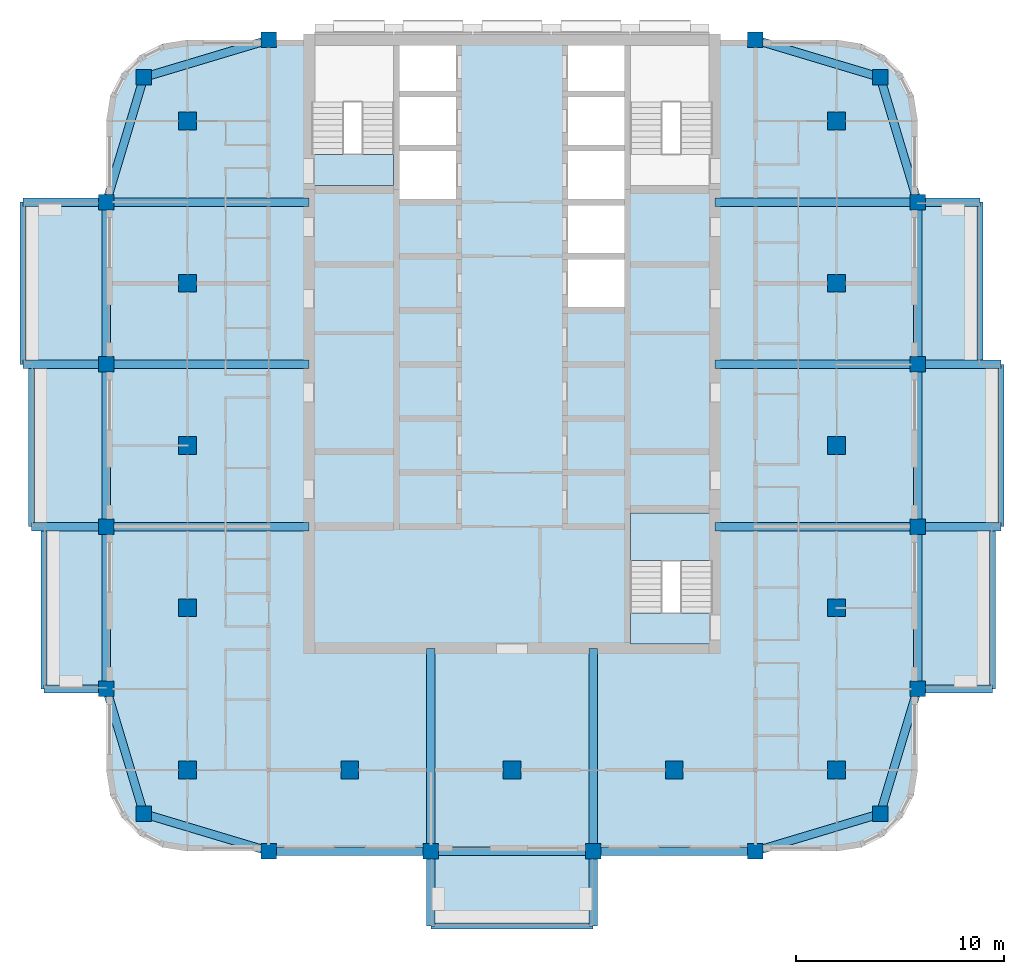
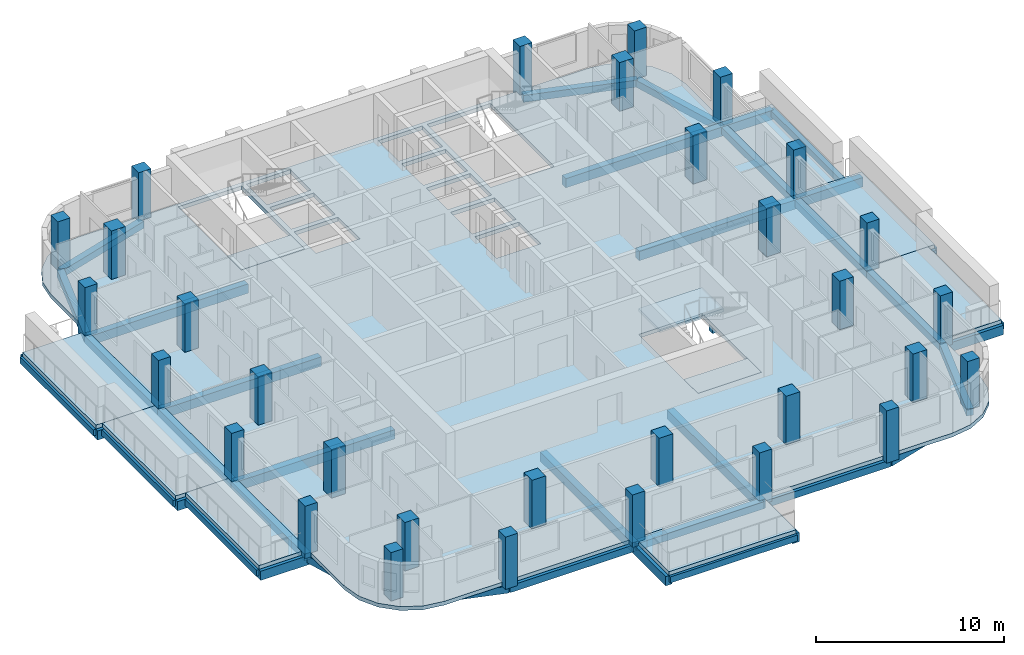
# One storey, part 1 of 13: 42 beams, 31 columns, 11 slabs, 2 elements without a shape of their own.
"""IFC4 building model written with IfcOpenShell, lengths in metres."""

import ifcopenshell
import ifcopenshell.guid

model = None  # the IFC model being written
_history = None  # IfcOwnerHistory: only IFC2X3 demands one
_inside = {}  # id of a spatial element -> (the spatial element, [elements in it])
_under = {}  # id of a project, library or spatial element -> (it, [spatial elements below it])
_declared = {}  # id of a project -> (the project, [libraries it declares])
_typed = {}  # id of a type object -> (the type object, [elements of that type])
_made_of = {}  # id of a material, layer set ... -> (it, [elements and type objects made of it])


def new_model(schema):
    """Start an empty IFC model of exactly this schema.

    Asked for "IFC4X3", IfcOpenShell would pick the latest addendum, in which some entities
    have other attributes; the version numbers below select the first issue.
    IFC2X3 requires an IfcOwnerHistory on every rooted entity: one is made here for all.
    """
    global model, _history
    if schema == "IFC4X3":
        model = ifcopenshell.file(schema_version=(4, 3, 0, 0))
    else:
        model = ifcopenshell.file(schema=schema)
    _inside.clear()
    _under.clear()
    _declared.clear()
    _typed.clear()
    _made_of.clear()
    _history = None
    if model.schema == "IFC2X3":
        org = make("IfcOrganization", Name="unknown")
        user = make(
            "IfcPersonAndOrganization",
            ThePerson=make("IfcPerson", FamilyName="unknown"),
            TheOrganization=org,
        )
        app = make(
            "IfcApplication",
            ApplicationDeveloper=org,
            Version="unknown",
            ApplicationFullName="unknown",
            ApplicationIdentifier="unknown",
        )
        _history = make(
            "IfcOwnerHistory",
            OwningUser=user,
            OwningApplication=app,
            ChangeAction="ADDED",
            CreationDate=0,
        )
    return model


def make(cls, **values):
    """One entity of the class cls with the attributes given. An attribute that is None is left unset."""
    return model.create_entity(
        cls, **{name: value for name, value in values.items() if value is not None}
    )


def rooted(cls, **values):
    """An entity with a GlobalId (a new one), such as an element, a storey or a relation."""
    return make(cls, GlobalId=ifcopenshell.guid.new(), OwnerHistory=_history, **values)


def si_unit(unit_type, name, prefix=None):
    """IfcSIUnit, for example si_unit("LENGTHUNIT", "METRE", prefix="MILLI")."""
    return make("IfcSIUnit", UnitType=unit_type, Prefix=prefix, Name=name)


def assignment(units):
    """IfcUnitAssignment: the units of a project."""
    return None if units is None else make("IfcUnitAssignment", Units=units)


def point(xyz):
    """IfcCartesianPoint."""
    return None if xyz is None else make("IfcCartesianPoint", Coordinates=xyz)


def direction(xyz):
    """IfcDirection."""
    return None if xyz is None else make("IfcDirection", DirectionRatios=xyz)


def frame(location, z_axis=None, x_axis=None):
    """IfcAxis2Placement3D, a coordinate frame: its origin and axes. An axis left out is left unset."""
    return make(
        "IfcAxis2Placement3D",
        Location=point(location),
        Axis=direction(z_axis),
        RefDirection=direction(x_axis),
    )


def frame_2d(location, x_axis=None):
    """IfcAxis2Placement2D, a coordinate frame in the plane: its origin and x axis."""
    return make(
        "IfcAxis2Placement2D", Location=point(location), RefDirection=direction(x_axis)
    )


def origin():
    """The frame at (0, 0, 0) with its axes left unset."""
    return frame((0.0, 0.0, 0.0))


def origin_2d():
    """The frame at (0, 0) in the plane with its x axis left unset."""
    return frame_2d((0.0, 0.0))


def place(relative_to, where):
    """IfcLocalPlacement: puts the frame where relative to a parent placement (None: the world)."""
    return make(
        "IfcLocalPlacement", PlacementRelTo=relative_to, RelativePlacement=where
    )


def context(
    kind, dimensions, precision=None, world=None, true_north=None, identifier=None
):
    """IfcGeometricRepresentationContext, for example the 3D "Model" context."""
    return make(
        "IfcGeometricRepresentationContext",
        ContextIdentifier=identifier,
        ContextType=kind,
        CoordinateSpaceDimension=dimensions,
        Precision=precision,
        WorldCoordinateSystem=world,
        TrueNorth=true_north,
    )


def subcontext(parent, identifier, kind, view, scale=None):
    """IfcGeometricRepresentationSubContext, for example "Body" below "Model"."""
    return make(
        "IfcGeometricRepresentationSubContext",
        ContextIdentifier=identifier,
        ContextType=kind,
        ParentContext=parent,
        TargetScale=scale,
        TargetView=view,
    )


def project(units=None, contexts=None):
    """IfcProject with its units and contexts."""
    return rooted(
        "IfcProject",
        Name="project",
        RepresentationContexts=contexts,
        UnitsInContext=assignment(units),
    )


def spatial(cls, under=None, at=None, **own):
    """A site, building, storey or space (cls), placed at a placement, below another one or the project."""
    s = rooted(cls, ObjectPlacement=at, **own)
    if under is not None:
        _under.setdefault(under.id(), (under, []))[1].append(s)
    return s


def polyline(points):
    """IfcPolyline through the points."""
    return make("IfcPolyline", Points=[point(p) for p in points])


def profile(cls, at=None, kind="AREA", **sizes):
    """A parametric profile (cls). Its sizes go by their IFC names, for example OverallWidth=200.0."""
    return make(cls, ProfileType=kind, Position=at, **sizes)


def rectangle(**sizes):
    """IfcRectangleProfileDef."""
    return profile("IfcRectangleProfileDef", **sizes)


def outline(outer, holes=None, kind="AREA"):
    """IfcArbitraryClosedProfileDef: a profile drawn as a closed curve; with holes, ...WithVoids."""
    if holes is None:
        return make("IfcArbitraryClosedProfileDef", ProfileType=kind, OuterCurve=outer)
    return make(
        "IfcArbitraryProfileDefWithVoids",
        ProfileType=kind,
        OuterCurve=outer,
        InnerCurves=holes,
    )


def extrude(swept, where, along, depth):
    """IfcExtrudedAreaSolid: the profile swept, set in the frame where, extruded along a direction by depth."""
    return make(
        "IfcExtrudedAreaSolid",
        SweptArea=swept,
        Position=where,
        ExtrudedDirection=direction(along),
        Depth=depth,
    )


def shape(context_of_items, identifier, shape_type, items):
    """IfcShapeRepresentation: the items that make up one representation, for example the "Body"."""
    return make(
        "IfcShapeRepresentation",
        ContextOfItems=context_of_items,
        RepresentationIdentifier=identifier,
        RepresentationType=shape_type,
        Items=items,
    )


def material(Name=None, Category=None):
    """IfcMaterial."""
    return make("IfcMaterial", Name=Name, Category=Category)


def layer(
    of_material, thickness, ventilated=None, Name=None, Category=None, Priority=None
):
    """IfcMaterialLayer: one layer of a wall or slab, of a material (None: an air gap)."""
    return make(
        "IfcMaterialLayer",
        Material=of_material,
        LayerThickness=thickness,
        IsVentilated=ventilated,
        Name=Name,
        Category=Category,
        Priority=Priority,
    )


def layer_set(layers, Name=None):
    """IfcMaterialLayerSet."""
    return make("IfcMaterialLayerSet", MaterialLayers=layers, LayerSetName=Name)


def material_profile(
    of_material, cross_section, Name=None, Category=None, Priority=None
):
    """IfcMaterialProfile: a cross section and its material."""
    return make(
        "IfcMaterialProfile",
        Name=Name,
        Material=of_material,
        Profile=cross_section,
        Priority=Priority,
        Category=Category,
    )


def profile_set(profiles, Name=None, composite=None):
    """IfcMaterialProfileSet."""
    return make(
        "IfcMaterialProfileSet",
        Name=Name,
        MaterialProfiles=profiles,
        CompositeProfile=composite,
    )


def made_of(thing, what):
    """Note that an element or type object is made of a material, layer set ...; save() writes the relation."""
    if what is not None:
        _made_of.setdefault(what.id(), (what, []))[1].append(thing)
    return thing


def type_object(cls, material=None, **own):
    """A type object (cls), such as IfcWallType, which elements share."""
    return made_of(rooted(cls, **own), material)


def element(
    cls,
    number,
    at=None,
    inside=None,
    cuts=None,
    type_object=None,
    material=None,
    context=None,
    identifier="Body",
    shape_type=None,
    held_by="IfcProductDefinitionShape",
    body=None,
    shapes=None,
    **own,
):
    """One element of the class cls, such as IfcWall. Its Tag is "e" and its number.

    at: its placement. inside: the storey or other place that contains it. cuts: it is an
    opening in that element (IfcRelVoidsElement). A single representation is given by context,
    identifier, shape_type and body (its items); several are given by shapes. held_by: the class
    of the entity that holds the representations. save() writes the other relations.
    """
    e = rooted(cls, Tag="e%d" % number, ObjectPlacement=at, **own)
    if body is not None:
        shapes = [shape(context, identifier, shape_type, body)]
    if shapes is not None:
        e.Representation = make(held_by, Representations=shapes)
    if inside is not None:
        _inside.setdefault(inside.id(), (inside, []))[1].append(e)
    if cuts is not None:
        rooted(
            "IfcRelVoidsElement", RelatingBuildingElement=cuts, RelatedOpeningElement=e
        )
    if type_object is not None:
        _typed.setdefault(type_object.id(), (type_object, []))[1].append(e)
    return made_of(e, material)


def aggregate(whole, parts):
    """IfcRelAggregates: a whole, such as a stair, and the parts it consists of."""
    return rooted("IfcRelAggregates", RelatingObject=whole, RelatedObjects=parts)


def save(model, path):
    """Write the relations noted so far, then the file.

    IfcRelAggregates (storeys below a building ...), IfcRelContainedInSpatialStructure (elements
    in a storey), IfcRelDefinesByType, IfcRelAssociatesMaterial and IfcRelDeclares: one each for
    every whole, place, type object, material and project.
    """
    for whole, parts in _under.values():
        aggregate(whole, parts)
    for where, things in _inside.values():
        rooted(
            "IfcRelContainedInSpatialStructure",
            RelatedElements=things,
            RelatingStructure=where,
        )
    for kind, things in _typed.values():
        rooted("IfcRelDefinesByType", RelatedObjects=things, RelatingType=kind)
    for what, things in _made_of.values():
        rooted("IfcRelAssociatesMaterial", RelatedObjects=things, RelatingMaterial=what)
    for by, libraries in _declared.values():
        rooted("IfcRelDeclares", RelatingContext=by, RelatedDefinitions=libraries)
    model.write(path)


model = new_model("IFC4")

# Units and contexts
model_context = context("Model", 3, precision=1e-05, world=origin(), true_north=direction((0.0, 1.0)))
body_context = subcontext(model_context, "Body", "Model", "MODEL_VIEW")
ifc_project = project(units=[si_unit("LENGTHUNIT", "METRE"), si_unit("AREAUNIT", "SQUARE_METRE"), si_unit("VOLUMEUNIT", "CUBIC_METRE"), si_unit("PLANEANGLEUNIT", "RADIAN"), si_unit("MASSUNIT", "GRAM", prefix="KILO")], contexts=[model_context])

# Site, building, storey
site_placement = place(None, origin())
site = spatial("IfcSite", under=ifc_project, at=site_placement, CompositionType="ELEMENT")
building_placement = place(site_placement, origin())
building = spatial("IfcBuilding", under=site, at=building_placement, Name="Ludao Terraces", CompositionType="ELEMENT")
storey_placement = place(building_placement, frame((0.0, 0.0, 158.800048828125)))
storey = spatial("IfcBuildingStorey", under=building, at=storey_placement, Name="L43", CompositionType="ELEMENT", Elevation=158.800048828125)

# Columns
ifc_material_1 = material(Name="Concrete C45", Category="concrete")
ifc_material_profile_1 = material_profile(ifc_material_1, rectangle(XDim=0.75, YDim=0.75, at=origin_2d()), Name="750 X 750")
ifc_profile_set_1 = profile_set([ifc_material_profile_1], Name="Concrete C45")
column_type_1 = type_object("IfcColumnType", Name="RC column 750x750 C45", PredefinedType="COLUMN", material=ifc_profile_set_1)
for number, where, z_axis, x_axis, name in (
    (1, (67.300048828125, 47.300048828125, -0.25), (0.0, 0.0, 1.0), (1.0, 0.0, 0.0), "Column L43 C0057x0057"),
    (2, (102.699951171875, 47.300048828125, -0.25), (0.0, 0.0, 1.0), (1.0, 0.0, 0.0), "Column L43 C0411x0057"),
    (3, (67.300048828125, 82.699951171875, -0.25), (0.0, 0.0, 1.0), (1.0, 0.0, 0.0), "Column L43 C0057x0411"),
    (4, (102.699951171875, 82.699951171875, -0.25), (0.0, 0.0, 1.0), (1.0, 0.0, 0.0), "Column L43 C0411x0411"),
    (5, (65.5, 53.300048828125, -0.25), (0.0, 0.0, 1.0), (1.0, 0.0, 0.0), "Column L43 W0039x0117"),
    (6, (104.5, 53.300048828125, -0.25), (0.0, 0.0, 1.0), (1.0, 0.0, 0.0), "Column L43 W0429x0117"),
    (7, (73.300048828125, 45.5, -0.25), (0.0, 0.0, 1.0), (1.0, 0.0, 0.0), "Column L43 W0117x0039"),
    (8, (73.300048828125, 84.5, -0.25), (0.0, 0.0, 1.0), (1.0, 0.0, 0.0), "Column L43 W0117x0429"),
    (9, (65.5, 61.10009765625, -0.25), (0.0, 0.0, 1.0), (1.0, 0.0, 0.0), "Column L43 W0039x0195"),
    (10, (104.5, 61.10009765625, -0.25), (0.0, 0.0, 1.0), (1.0, 0.0, 0.0), "Column L43 W0429x0195"),
    (11, (81.10009765625, 45.5, -0.25), (0.0, 0.0, 1.0), (1.0, 0.0, 0.0), "Column L43 W0195x0039"),
    (12, (65.5, 68.89990234375, -0.25), (0.0, 0.0, 1.0), (1.0, 0.0, 0.0), "Column L43 W0039x0273"),
    (13, (104.5, 68.89990234375, -0.25), (0.0, 0.0, 1.0), (1.0, 0.0, 0.0), "Column L43 W0429x0273"),
    (14, (88.89990234375, 45.5, -0.25), (0.0, 0.0, 1.0), (1.0, 0.0, 0.0), "Column L43 W0273x0039"),
    (15, (65.5, 76.699951171875, -0.25), (0.0, 0.0, 1.0), (1.0, 0.0, 0.0), "Column L43 W0039x0351"),
    (16, (104.5, 76.699951171875, -0.25), (0.0, 0.0, 1.0), (1.0, 0.0, 0.0), "Column L43 W0429x0351"),
    (17, (96.699951171875, 45.5, -0.25), (0.0, 0.0, 1.0), (1.0, 0.0, 0.0), "Column L43 W0351x0039"),
    (18, (96.699951171875, 84.5, -0.25), (0.0, 0.0, 1.0), (1.0, 0.0, 0.0), "Column L43 W0351x0429"),
):
    element("IfcColumn", number, at=place(storey_placement, frame(where, z_axis=z_axis, x_axis=x_axis)), inside=storey, type_object=column_type_1, Name=name, PredefinedType="COLUMN", context=body_context, shape_type="SweptSolid", body=[
        extrude(rectangle(XDim=0.75, YDim=0.75, at=origin_2d()), origin(), (0.0, 0.0, 1.0), 3.39990234375),
    ])
ifc_material_profile_2 = material_profile(ifc_material_1, rectangle(XDim=0.85009765625, YDim=0.85009765625, at=origin_2d()), Name="850 X 850")
ifc_profile_set_2 = profile_set([ifc_material_profile_2], Name="Concrete C45")
column_type_2 = type_object("IfcColumnType", Name="RC column 850x850 C45", PredefinedType="COLUMN", material=ifc_profile_set_2)
for number, where, z_axis, x_axis, name in (
    (19, (69.39990234375, 49.39990234375, -0.25), (0.0, 0.0, 1.0), (1.0, 0.0, 0.0), "Column L43 S0078x0078"),
    (20, (69.39990234375, 57.199951171875, -0.25), (0.0, 0.0, 1.0), (1.0, 0.0, 0.0), "Column L43 S0078x0156"),
    (21, (69.39990234375, 65.0, -0.25), (0.0, 0.0, 1.0), (1.0, 0.0, 0.0), "Column L43 S0078x0234"),
    (22, (69.39990234375, 72.800048828125, -0.25), (0.0, 0.0, 1.0), (1.0, 0.0, 0.0), "Column L43 S0078x0312"),
    (23, (69.39990234375, 80.60009765625, -0.25), (0.0, 0.0, 1.0), (1.0, 0.0, 0.0), "Column L43 S0078x0390"),
    (24, (77.199951171875, 49.39990234375, -0.25), (0.0, 0.0, 1.0), (1.0, 0.0, 0.0), "Column L43 S0156x0078"),
    (25, (85.0, 49.39990234375, -0.25), (0.0, 0.0, 1.0), (1.0, 0.0, 0.0), "Column L43 S0234x0078"),
    (26, (92.800048828125, 49.39990234375, -0.25), (0.0, 0.0, 1.0), (1.0, 0.0, 0.0), "Column L43 S0312x0078"),
    (27, (100.60009765625, 49.39990234375, -0.25), (0.0, 0.0, 1.0), (1.0, 0.0, 0.0), "Column L43 S0390x0078"),
    (28, (100.60009765625, 57.199951171875, -0.25), (0.0, 0.0, 1.0), (1.0, 0.0, 0.0), "Column L43 S0390x0156"),
    (29, (100.60009765625, 65.0, -0.25), (0.0, 0.0, 1.0), (1.0, 0.0, 0.0), "Column L43 S0390x0234"),
    (30, (100.60009765625, 72.800048828125, -0.25), (0.0, 0.0, 1.0), (1.0, 0.0, 0.0), "Column L43 S0390x0312"),
    (31, (100.60009765625, 80.60009765625, -0.25), (0.0, 0.0, 1.0), (1.0, 0.0, 0.0), "Column L43 S0390x0390"),
):
    element("IfcColumn", number, at=place(storey_placement, frame(where, z_axis=z_axis, x_axis=x_axis)), inside=storey, type_object=column_type_2, Name=name, PredefinedType="COLUMN", context=body_context, shape_type="SweptSolid", body=[
        extrude(rectangle(XDim=0.85009765625, YDim=0.85009765625, at=origin_2d()), origin(), (0.0, 0.0, 1.0), 3.39990234375),
    ])

# Beams
ifc_material_2 = material(Name="Concrete C40", Category="concrete")
ifc_material_profile_3 = material_profile(ifc_material_2, rectangle(XDim=0.300048828125, YDim=0.39990234375, at=origin_2d()), Name="300 X 400")
ifc_profile_set_3 = profile_set([ifc_material_profile_3], Name="Concrete C40")
beam_type_1 = type_object("IfcBeamType", Name="RC beam 300x400 C40", PredefinedType="BEAM", material=ifc_profile_set_3)
beam_1_placement = place(storey_placement, frame((81.10009765625, 41.89990234375, -0.449951171875), z_axis=(1.0, 0.0, 0.0), x_axis=(0.0, 1.0, 0.0)))
element("IfcBeam", 32, at=beam_1_placement, inside=storey, type_object=beam_type_1, Name="Balcony edge beam L43 S1", PredefinedType="BEAM", context=body_context, shape_type="SweptSolid", body=[
    extrude(rectangle(XDim=0.300048828125, YDim=0.39990234375, at=origin_2d()), origin(), (0.0, 0.0, 1.0), 7.7998046875),
])
beam_2_placement = place(storey_placement, frame((108.10009765625, 53.300048828125, -0.449951171875), z_axis=(0.0, 1.0, 0.0), x_axis=(-1.0, 0.0, 0.0)))
element("IfcBeam", 33, at=beam_2_placement, inside=storey, type_object=beam_type_1, Name="Balcony edge beam L43 E1", PredefinedType="BEAM", context=body_context, shape_type="SweptSolid", body=[
    extrude(rectangle(XDim=0.300048828125, YDim=0.39990234375, at=origin_2d()), origin(), (0.0, 0.0, 1.0), 7.800048828125),
])
beam_3_placement = place(storey_placement, frame((108.5, 61.10009765625, -0.449951171875), z_axis=(0.0, 1.0, 0.0), x_axis=(-1.0, 0.0, 0.0)))
element("IfcBeam", 34, at=beam_3_placement, inside=storey, type_object=beam_type_1, Name="Balcony edge beam L43 E2", PredefinedType="BEAM", context=body_context, shape_type="SweptSolid", body=[
    extrude(rectangle(XDim=0.300048828125, YDim=0.39990234375, at=origin_2d()), origin(), (0.0, 0.0, 1.0), 7.7998046875),
])
for number, where, z_axis, x_axis, name in (
    (35, (107.5, 68.89990234375, -0.449951171875), (0.0, 1.0, 0.0), (-1.0, 0.0, 0.0), "Balcony edge beam L43 E3"),
    (36, (62.5, 53.300048828125, -0.449951171875), (0.0, 1.0, 0.0), (-1.0, 0.0, 0.0), "Balcony edge beam L43 W1"),
):
    element("IfcBeam", number, at=place(storey_placement, frame(where, z_axis=z_axis, x_axis=x_axis)), inside=storey, type_object=beam_type_1, Name=name, PredefinedType="BEAM", context=body_context, shape_type="SweptSolid", body=[
        extrude(rectangle(XDim=0.300048828125, YDim=0.39990234375, at=origin_2d()), origin(), (0.0, 0.0, 1.0), 7.800048828125),
    ])
beam_4_placement = place(storey_placement, frame((61.89990234375, 61.10009765625, -0.449951171875), z_axis=(0.0, 1.0, 0.0), x_axis=(-1.0, 0.0, 0.0)))
element("IfcBeam", 37, at=beam_4_placement, inside=storey, type_object=beam_type_1, Name="Balcony edge beam L43 W2", PredefinedType="BEAM", context=body_context, shape_type="SweptSolid", body=[
    extrude(rectangle(XDim=0.300048828125, YDim=0.39990234375, at=origin_2d()), origin(), (0.0, 0.0, 1.0), 7.7998046875),
])
beam_5_placement = place(storey_placement, frame((61.5, 68.89990234375, -0.449951171875), z_axis=(0.0, 1.0, 0.0), x_axis=(-1.0, 0.0, 0.0)))
element("IfcBeam", 38, at=beam_5_placement, inside=storey, type_object=beam_type_1, Name="Balcony edge beam L43 W3", PredefinedType="BEAM", context=body_context, shape_type="SweptSolid", body=[
    extrude(rectangle(XDim=0.300048828125, YDim=0.39990234375, at=origin_2d()), origin(), (0.0, 0.0, 1.0), 7.800048828125),
])
ifc_material_profile_4 = material_profile(ifc_material_2, rectangle(XDim=0.39990234375, YDim=0.449951171875, at=origin_2d()), Name="400 X 450")
ifc_profile_set_4 = profile_set([ifc_material_profile_4], Name="Concrete C40")
beam_type_2 = type_object("IfcBeamType", Name="RC beam 400x450 C40", PredefinedType="BEAM", material=ifc_profile_set_4)
beam_6_placement = place(storey_placement, frame((67.300048828125, 47.300048828125, -0.47509765625), z_axis=(0.957824139839, -0.287355036744, 0.0), x_axis=(0.287355036744, 0.957824139839, 0.0)))
element("IfcBeam", 39, at=beam_6_placement, inside=storey, type_object=beam_type_2, Name="Spandrel beam L43 S1", PredefinedType="BEAM", context=body_context, shape_type="SweptSolid", body=[
    extrude(rectangle(XDim=0.39990234375, YDim=0.449951171875, at=origin_2d()), origin(), (0.0, 0.0, 1.0), 6.26416015625),
])
beam_7_placement = place(storey_placement, frame((73.300048828125, 45.5, -0.47509765625), z_axis=(1.0, 0.0, 0.0), x_axis=(0.0, 1.0, 0.0)))
element("IfcBeam", 40, at=beam_7_placement, inside=storey, type_object=beam_type_2, Name="Spandrel beam L43 S2", PredefinedType="BEAM", context=body_context, shape_type="SweptSolid", body=[
    extrude(rectangle(XDim=0.39990234375, YDim=0.449951171875, at=origin_2d()), origin(), (0.0, 0.0, 1.0), 7.800048828125),
])
beam_8_placement = place(storey_placement, frame((81.10009765625, 45.5, -0.47509765625), z_axis=(1.0, 0.0, 0.0), x_axis=(0.0, 1.0, 0.0)))
element("IfcBeam", 41, at=beam_8_placement, inside=storey, type_object=beam_type_2, Name="Spandrel beam L43 S3", PredefinedType="BEAM", context=body_context, shape_type="SweptSolid", body=[
    extrude(rectangle(XDim=0.39990234375, YDim=0.449951171875, at=origin_2d()), origin(), (0.0, 0.0, 1.0), 7.7998046875),
])
beam_9_placement = place(storey_placement, frame((88.89990234375, 45.5, -0.47509765625), z_axis=(1.0, 0.0, 0.0), x_axis=(0.0, 1.0, 0.0)))
element("IfcBeam", 42, at=beam_9_placement, inside=storey, type_object=beam_type_2, Name="Spandrel beam L43 S4", PredefinedType="BEAM", context=body_context, shape_type="SweptSolid", body=[
    extrude(rectangle(XDim=0.39990234375, YDim=0.449951171875, at=origin_2d()), origin(), (0.0, 0.0, 1.0), 7.800048828125),
])
for number, where, z_axis, x_axis, name in (
    (43, (96.699951171875, 45.5, -0.47509765625), (0.957824139839, 0.287355036744, 0.0), (-0.287355036744, 0.957824139839, 0.0), "Spandrel beam L43 S5"),
    (44, (67.300048828125, 82.699951171875, -0.47509765625), (0.957824139839, 0.287355036744, 0.0), (-0.287355036744, 0.957824139839, 0.0), "Spandrel beam L43 N6"),
    (45, (96.699951171875, 84.5, -0.47509765625), (0.957824139839, -0.287355036744, 0.0), (0.287355036744, 0.957824139839, 0.0), "Spandrel beam L43 N7"),
    (46, (67.300048828125, 47.300048828125, -0.47509765625), (-0.287355036744, 0.957824139839, 0.0), (-0.957824139839, -0.287355036744, 0.0), "Spandrel beam L43 W8"),
):
    element("IfcBeam", number, at=place(storey_placement, frame(where, z_axis=z_axis, x_axis=x_axis)), inside=storey, type_object=beam_type_2, Name=name, PredefinedType="BEAM", context=body_context, shape_type="SweptSolid", body=[
        extrude(rectangle(XDim=0.39990234375, YDim=0.449951171875, at=origin_2d()), origin(), (0.0, 0.0, 1.0), 6.26416015625),
    ])
beam_10_placement = place(storey_placement, frame((65.5, 53.300048828125, -0.47509765625), z_axis=(0.0, 1.0, 0.0), x_axis=(-1.0, 0.0, 0.0)))
element("IfcBeam", 47, at=beam_10_placement, inside=storey, type_object=beam_type_2, Name="Spandrel beam L43 W9", PredefinedType="BEAM", context=body_context, shape_type="SweptSolid", body=[
    extrude(rectangle(XDim=0.39990234375, YDim=0.449951171875, at=origin_2d()), origin(), (0.0, 0.0, 1.0), 7.800048828125),
])
beam_11_placement = place(storey_placement, frame((65.5, 61.10009765625, -0.47509765625), z_axis=(0.0, 1.0, 0.0), x_axis=(-1.0, 0.0, 0.0)))
element("IfcBeam", 48, at=beam_11_placement, inside=storey, type_object=beam_type_2, Name="Spandrel beam L43 W10", PredefinedType="BEAM", context=body_context, shape_type="SweptSolid", body=[
    extrude(rectangle(XDim=0.39990234375, YDim=0.449951171875, at=origin_2d()), origin(), (0.0, 0.0, 1.0), 7.7998046875),
])
beam_12_placement = place(storey_placement, frame((65.5, 68.89990234375, -0.47509765625), z_axis=(0.0, 1.0, 0.0), x_axis=(-1.0, 0.0, 0.0)))
element("IfcBeam", 49, at=beam_12_placement, inside=storey, type_object=beam_type_2, Name="Spandrel beam L43 W11", PredefinedType="BEAM", context=body_context, shape_type="SweptSolid", body=[
    extrude(rectangle(XDim=0.39990234375, YDim=0.449951171875, at=origin_2d()), origin(), (0.0, 0.0, 1.0), 7.800048828125),
])
for number, where, z_axis, x_axis, name in (
    (50, (65.5, 76.699951171875, -0.47509765625), (0.287355036744, 0.957824139839, 0.0), (-0.957824139839, 0.287355036744, 0.0), "Spandrel beam L43 W12"),
    (51, (102.699951171875, 47.300048828125, -0.47509765625), (0.287355036744, 0.957824139839, 0.0), (-0.957824139839, 0.287355036744, 0.0), "Spandrel beam L43 E13"),
):
    element("IfcBeam", number, at=place(storey_placement, frame(where, z_axis=z_axis, x_axis=x_axis)), inside=storey, type_object=beam_type_2, Name=name, PredefinedType="BEAM", context=body_context, shape_type="SweptSolid", body=[
        extrude(rectangle(XDim=0.39990234375, YDim=0.449951171875, at=origin_2d()), origin(), (0.0, 0.0, 1.0), 6.26416015625),
    ])
beam_13_placement = place(storey_placement, frame((104.5, 53.300048828125, -0.47509765625), z_axis=(0.0, 1.0, 0.0), x_axis=(-1.0, 0.0, 0.0)))
element("IfcBeam", 52, at=beam_13_placement, inside=storey, type_object=beam_type_2, Name="Spandrel beam L43 E14", PredefinedType="BEAM", context=body_context, shape_type="SweptSolid", body=[
    extrude(rectangle(XDim=0.39990234375, YDim=0.449951171875, at=origin_2d()), origin(), (0.0, 0.0, 1.0), 7.800048828125),
])
beam_14_placement = place(storey_placement, frame((104.5, 61.10009765625, -0.47509765625), z_axis=(0.0, 1.0, 0.0), x_axis=(-1.0, 0.0, 0.0)))
element("IfcBeam", 53, at=beam_14_placement, inside=storey, type_object=beam_type_2, Name="Spandrel beam L43 E15", PredefinedType="BEAM", context=body_context, shape_type="SweptSolid", body=[
    extrude(rectangle(XDim=0.39990234375, YDim=0.449951171875, at=origin_2d()), origin(), (0.0, 0.0, 1.0), 7.7998046875),
])
beam_15_placement = place(storey_placement, frame((104.5, 68.89990234375, -0.47509765625), z_axis=(0.0, 1.0, 0.0), x_axis=(-1.0, 0.0, 0.0)))
element("IfcBeam", 54, at=beam_15_placement, inside=storey, type_object=beam_type_2, Name="Spandrel beam L43 E16", PredefinedType="BEAM", context=body_context, shape_type="SweptSolid", body=[
    extrude(rectangle(XDim=0.39990234375, YDim=0.449951171875, at=origin_2d()), origin(), (0.0, 0.0, 1.0), 7.800048828125),
])
beam_16_placement = place(storey_placement, frame((104.5, 76.699951171875, -0.47509765625), z_axis=(-0.287355036744, 0.957824139839, 0.0), x_axis=(-0.957824139839, -0.287355036744, 0.0)))
element("IfcBeam", 55, at=beam_16_placement, inside=storey, type_object=beam_type_2, Name="Spandrel beam L43 E17", PredefinedType="BEAM", context=body_context, shape_type="SweptSolid", body=[
    extrude(rectangle(XDim=0.39990234375, YDim=0.449951171875, at=origin_2d()), origin(), (0.0, 0.0, 1.0), 6.26416015625),
])
ifc_material_profile_5 = material_profile(ifc_material_2, rectangle(XDim=0.39990234375, YDim=0.60009765625, at=origin_2d()), Name="400 X 600")
ifc_profile_set_5 = profile_set([ifc_material_profile_5], Name="Concrete C40")
beam_type_3 = type_object("IfcBeamType", Name="RC beam 400x600 C40", PredefinedType="BEAM", material=ifc_profile_set_5)
beam_17_placement = place(storey_placement, frame((104.5, 53.300048828125, -0.550048828125), z_axis=(1.0, 0.0, 0.0), x_axis=(0.0, 1.0, 0.0)))
element("IfcBeam", 56, at=beam_17_placement, inside=storey, type_object=beam_type_3, Name="Balcony beam L43 E533", PredefinedType="BEAM", context=body_context, shape_type="SweptSolid", body=[
    extrude(rectangle(XDim=0.39990234375, YDim=0.60009765625, at=origin_2d()), origin(), (0.0, 0.0, 1.0), 3.60009765625),
])
beam_18_placement = place(storey_placement, frame((94.75, 61.10009765625, -0.550048828125), z_axis=(1.0, 0.0, 0.0), x_axis=(0.0, 1.0, 0.0)))
element("IfcBeam", 57, at=beam_18_placement, inside=storey, type_object=beam_type_3, Name="Balcony beam L43 E611", PredefinedType="BEAM", context=body_context, shape_type="SweptSolid", body=[
    extrude(rectangle(XDim=0.39990234375, YDim=0.60009765625, at=origin_2d()), origin(), (0.0, 0.0, 1.0), 9.75),
])
beam_19_placement = place(storey_placement, frame((104.5, 61.10009765625, -0.550048828125), z_axis=(1.0, 0.0, 0.0), x_axis=(0.0, 1.0, 0.0)))
element("IfcBeam", 58, at=beam_19_placement, inside=storey, type_object=beam_type_3, Name="Balcony beam L43 E611", PredefinedType="BEAM", context=body_context, shape_type="SweptSolid", body=[
    extrude(rectangle(XDim=0.39990234375, YDim=0.60009765625, at=origin_2d()), origin(), (0.0, 0.0, 1.0), 4.0),
])
beam_20_placement = place(storey_placement, frame((94.75, 68.89990234375, -0.550048828125), z_axis=(1.0, 0.0, 0.0), x_axis=(0.0, 1.0, 0.0)))
element("IfcBeam", 59, at=beam_20_placement, inside=storey, type_object=beam_type_3, Name="Balcony beam L43 E689", PredefinedType="BEAM", context=body_context, shape_type="SweptSolid", body=[
    extrude(rectangle(XDim=0.39990234375, YDim=0.60009765625, at=origin_2d()), origin(), (0.0, 0.0, 1.0), 9.75),
])
beam_21_placement = place(storey_placement, frame((104.5, 68.89990234375, -0.550048828125), z_axis=(1.0, 0.0, 0.0), x_axis=(0.0, 1.0, 0.0)))
element("IfcBeam", 60, at=beam_21_placement, inside=storey, type_object=beam_type_3, Name="Balcony beam L43 E689", PredefinedType="BEAM", context=body_context, shape_type="SweptSolid", body=[
    extrude(rectangle(XDim=0.39990234375, YDim=0.60009765625, at=origin_2d()), origin(), (0.0, 0.0, 1.0), 4.0),
])
beam_22_placement = place(storey_placement, frame((94.75, 76.699951171875, -0.550048828125), z_axis=(1.0, 0.0, 0.0), x_axis=(0.0, 1.0, 0.0)))
element("IfcBeam", 61, at=beam_22_placement, inside=storey, type_object=beam_type_3, Name="Balcony beam L43 E767", PredefinedType="BEAM", context=body_context, shape_type="SweptSolid", body=[
    extrude(rectangle(XDim=0.39990234375, YDim=0.60009765625, at=origin_2d()), origin(), (0.0, 0.0, 1.0), 9.75),
])
beam_23_placement = place(storey_placement, frame((104.5, 76.699951171875, -0.550048828125), z_axis=(1.0, 0.0, 0.0), x_axis=(0.0, 1.0, 0.0)))
element("IfcBeam", 62, at=beam_23_placement, inside=storey, type_object=beam_type_3, Name="Balcony beam L43 E767", PredefinedType="BEAM", context=body_context, shape_type="SweptSolid", body=[
    extrude(rectangle(XDim=0.39990234375, YDim=0.60009765625, at=origin_2d()), origin(), (0.0, 0.0, 1.0), 3.0),
])
beam_24_placement = place(storey_placement, frame((81.10009765625, 55.25, -0.550048828125), z_axis=(0.0, -1.0, 0.0), x_axis=(1.0, 0.0, 0.0)))
element("IfcBeam", 63, at=beam_24_placement, inside=storey, type_object=beam_type_3, Name="Balcony beam L43 S811", PredefinedType="BEAM", context=body_context, shape_type="SweptSolid", body=[
    extrude(rectangle(XDim=0.39990234375, YDim=0.60009765625, at=origin_2d()), origin(), (0.0, 0.0, 1.0), 9.75),
])
beam_25_placement = place(storey_placement, frame((81.10009765625, 45.5, -0.550048828125), z_axis=(0.0, -1.0, 0.0), x_axis=(1.0, 0.0, 0.0)))
element("IfcBeam", 64, at=beam_25_placement, inside=storey, type_object=beam_type_3, Name="Balcony beam L43 S811", PredefinedType="BEAM", context=body_context, shape_type="SweptSolid", body=[
    extrude(rectangle(XDim=0.39990234375, YDim=0.60009765625, at=origin_2d()), origin(), (0.0, 0.0, 1.0), 3.60009765625),
])
beam_26_placement = place(storey_placement, frame((88.89990234375, 55.25, -0.550048828125), z_axis=(0.0, -1.0, 0.0), x_axis=(1.0, 0.0, 0.0)))
element("IfcBeam", 65, at=beam_26_placement, inside=storey, type_object=beam_type_3, Name="Balcony beam L43 S889", PredefinedType="BEAM", context=body_context, shape_type="SweptSolid", body=[
    extrude(rectangle(XDim=0.39990234375, YDim=0.60009765625, at=origin_2d()), origin(), (0.0, 0.0, 1.0), 9.75),
])
beam_27_placement = place(storey_placement, frame((88.89990234375, 45.5, -0.550048828125), z_axis=(0.0, -1.0, 0.0), x_axis=(1.0, 0.0, 0.0)))
element("IfcBeam", 66, at=beam_27_placement, inside=storey, type_object=beam_type_3, Name="Balcony beam L43 S889", PredefinedType="BEAM", context=body_context, shape_type="SweptSolid", body=[
    extrude(rectangle(XDim=0.39990234375, YDim=0.60009765625, at=origin_2d()), origin(), (0.0, 0.0, 1.0), 3.60009765625),
])
beam_28_placement = place(storey_placement, frame((65.5, 53.300048828125, -0.550048828125), z_axis=(-1.0, 0.0, 0.0), x_axis=(0.0, -1.0, 0.0)))
element("IfcBeam", 67, at=beam_28_placement, inside=storey, type_object=beam_type_3, Name="Balcony beam L43 W533", PredefinedType="BEAM", context=body_context, shape_type="SweptSolid", body=[
    extrude(rectangle(XDim=0.39990234375, YDim=0.60009765625, at=origin_2d()), origin(), (0.0, 0.0, 1.0), 3.0),
])
beam_29_placement = place(storey_placement, frame((75.25, 61.10009765625, -0.550048828125), z_axis=(-1.0, 0.0, 0.0), x_axis=(0.0, -1.0, 0.0)))
element("IfcBeam", 68, at=beam_29_placement, inside=storey, type_object=beam_type_3, Name="Balcony beam L43 W611", PredefinedType="BEAM", context=body_context, shape_type="SweptSolid", body=[
    extrude(rectangle(XDim=0.39990234375, YDim=0.60009765625, at=origin_2d()), origin(), (0.0, 0.0, 1.0), 9.75),
])
beam_30_placement = place(storey_placement, frame((65.5, 61.10009765625, -0.550048828125), z_axis=(-1.0, 0.0, 0.0), x_axis=(0.0, -1.0, 0.0)))
element("IfcBeam", 69, at=beam_30_placement, inside=storey, type_object=beam_type_3, Name="Balcony beam L43 W611", PredefinedType="BEAM", context=body_context, shape_type="SweptSolid", body=[
    extrude(rectangle(XDim=0.39990234375, YDim=0.60009765625, at=origin_2d()), origin(), (0.0, 0.0, 1.0), 3.60009765625),
])
beam_31_placement = place(storey_placement, frame((75.25, 68.89990234375, -0.550048828125), z_axis=(-1.0, 0.0, 0.0), x_axis=(0.0, -1.0, 0.0)))
element("IfcBeam", 70, at=beam_31_placement, inside=storey, type_object=beam_type_3, Name="Balcony beam L43 W689", PredefinedType="BEAM", context=body_context, shape_type="SweptSolid", body=[
    extrude(rectangle(XDim=0.39990234375, YDim=0.60009765625, at=origin_2d()), origin(), (0.0, 0.0, 1.0), 9.75),
])
beam_32_placement = place(storey_placement, frame((65.5, 68.89990234375, -0.550048828125), z_axis=(-1.0, 0.0, 0.0), x_axis=(0.0, -1.0, 0.0)))
element("IfcBeam", 71, at=beam_32_placement, inside=storey, type_object=beam_type_3, Name="Balcony beam L43 W689", PredefinedType="BEAM", context=body_context, shape_type="SweptSolid", body=[
    extrude(rectangle(XDim=0.39990234375, YDim=0.60009765625, at=origin_2d()), origin(), (0.0, 0.0, 1.0), 4.0),
])
beam_33_placement = place(storey_placement, frame((75.25, 76.699951171875, -0.550048828125), z_axis=(-1.0, 0.0, 0.0), x_axis=(0.0, -1.0, 0.0)))
element("IfcBeam", 72, at=beam_33_placement, inside=storey, type_object=beam_type_3, Name="Balcony beam L43 W767", PredefinedType="BEAM", context=body_context, shape_type="SweptSolid", body=[
    extrude(rectangle(XDim=0.39990234375, YDim=0.60009765625, at=origin_2d()), origin(), (0.0, 0.0, 1.0), 9.75),
])
beam_34_placement = place(storey_placement, frame((65.5, 76.699951171875, -0.550048828125), z_axis=(-1.0, 0.0, 0.0), x_axis=(0.0, -1.0, 0.0)))
element("IfcBeam", 73, at=beam_34_placement, inside=storey, type_object=beam_type_3, Name="Balcony beam L43 W767", PredefinedType="BEAM", context=body_context, shape_type="SweptSolid", body=[
    extrude(rectangle(XDim=0.39990234375, YDim=0.60009765625, at=origin_2d()), origin(), (0.0, 0.0, 1.0), 4.0),
])

# Slabs
ifc_layer_1 = layer(ifc_material_2, 0.25)
ifc_layer_set_1 = layer_set([ifc_layer_1], Name="Balcony slab 250 C40")
slab_type_1 = type_object("IfcSlabType", Name="Balcony slab 250 C40", PredefinedType="USERDEFINED", material=ifc_layer_set_1)
slab_1_placement = place(storey_placement, frame((0.0, 0.0, -0.25)))
element("IfcSlab", 74, at=slab_1_placement, inside=storey, type_object=slab_type_1, Name="Balcony L43 S1", ObjectType="BALCONY", PredefinedType="USERDEFINED", context=body_context, shape_type="SweptSolid", body=[
    extrude(outline(polyline([(81.10009765625, 41.89990234375), (88.89990234375, 41.89990234375), (88.89990234375, 45.5), (81.10009765625, 45.5), (81.10009765625, 41.89990234375)])), origin(), (0.0, 0.0, 1.0), 0.25),
])
slab_2_placement = place(storey_placement, frame((0.0, 0.0, -0.25)))
element("IfcSlab", 75, at=slab_2_placement, inside=storey, type_object=slab_type_1, Name="Balcony L43 E1", ObjectType="BALCONY", PredefinedType="USERDEFINED", context=body_context, shape_type="SweptSolid", body=[
    extrude(outline(polyline([(104.5, 53.300048828125), (108.10009765625, 53.300048828125), (108.10009765625, 61.10009765625), (104.5, 61.10009765625), (104.5, 53.300048828125)])), origin(), (0.0, 0.0, 1.0), 0.25),
])
slab_3_placement = place(storey_placement, frame((0.0, 0.0, -0.25)))
element("IfcSlab", 76, at=slab_3_placement, inside=storey, type_object=slab_type_1, Name="Balcony L43 E2", ObjectType="BALCONY", PredefinedType="USERDEFINED", context=body_context, shape_type="SweptSolid", body=[
    extrude(outline(polyline([(104.5, 61.10009765625), (108.5, 61.10009765625), (108.5, 68.89990234375), (104.5, 68.89990234375), (104.5, 61.10009765625)])), origin(), (0.0, 0.0, 1.0), 0.25),
])
slab_4_placement = place(storey_placement, frame((0.0, 0.0, -0.25)))
element("IfcSlab", 77, at=slab_4_placement, inside=storey, type_object=slab_type_1, Name="Balcony L43 E3", ObjectType="BALCONY", PredefinedType="USERDEFINED", context=body_context, shape_type="SweptSolid", body=[
    extrude(outline(polyline([(104.5, 68.89990234375), (107.5, 68.89990234375), (107.5, 76.699951171875), (104.5, 76.699951171875), (104.5, 68.89990234375)])), origin(), (0.0, 0.0, 1.0), 0.25),
])
slab_5_placement = place(storey_placement, frame((0.0, 0.0, -0.25)))
element("IfcSlab", 78, at=slab_5_placement, inside=storey, type_object=slab_type_1, Name="Balcony L43 W1", ObjectType="BALCONY", PredefinedType="USERDEFINED", context=body_context, shape_type="SweptSolid", body=[
    extrude(outline(polyline([(62.5, 53.300048828125), (65.5, 53.300048828125), (65.5, 61.10009765625), (62.5, 61.10009765625), (62.5, 53.300048828125)])), origin(), (0.0, 0.0, 1.0), 0.25),
])
slab_6_placement = place(storey_placement, frame((0.0, 0.0, -0.25)))
element("IfcSlab", 79, at=slab_6_placement, inside=storey, type_object=slab_type_1, Name="Balcony L43 W2", ObjectType="BALCONY", PredefinedType="USERDEFINED", context=body_context, shape_type="SweptSolid", body=[
    extrude(outline(polyline([(61.89990234375, 61.10009765625), (65.5, 61.10009765625), (65.5, 68.89990234375), (61.89990234375, 68.89990234375), (61.89990234375, 61.10009765625)])), origin(), (0.0, 0.0, 1.0), 0.25),
])
slab_7_placement = place(storey_placement, frame((0.0, 0.0, -0.25)))
element("IfcSlab", 80, at=slab_7_placement, inside=storey, type_object=slab_type_1, Name="Balcony L43 W3", ObjectType="BALCONY", PredefinedType="USERDEFINED", context=body_context, shape_type="SweptSolid", body=[
    extrude(outline(polyline([(61.5, 68.89990234375), (65.5, 68.89990234375), (65.5, 76.699951171875), (61.5, 76.699951171875), (61.5, 68.89990234375)])), origin(), (0.0, 0.0, 1.0), 0.25),
])
ifc_layer_2 = layer(ifc_material_2, 0.25)
ifc_layer_set_2 = layer_set([ifc_layer_2], Name="Floor slab 250 C40")
slab_type_2 = type_object("IfcSlabType", Name="Floor slab 250 C40", PredefinedType="FLOOR", material=ifc_layer_set_2)
slab_8_placement = place(storey_placement, frame((0.0, 0.0, -0.25)))
element("IfcSlab", 81, at=slab_8_placement, inside=storey, type_object=slab_type_2, Name="Slab L43", PredefinedType="FLOOR", context=body_context, shape_type="SweptSolid", body=[
    extrude(outline(polyline([(100.60009765625, 45.5), (101.80517578125, 45.69091796875), (102.892333984375, 46.244873046875), (103.755126953125, 47.107666015625), (104.30908203125, 48.19482421875), (104.5, 49.39990234375), (104.5, 80.60009765625), (104.30908203125, 81.80517578125), (103.755126953125, 82.892333984375), (102.892333984375, 83.755126953125), (101.80517578125, 84.30908203125), (100.60009765625, 84.5), (69.39990234375, 84.5), (68.19482421875, 84.30908203125), (67.107666015625, 83.755126953125), (66.244873046875, 82.892333984375), (65.69091796875, 81.80517578125), (65.5, 80.60009765625), (65.5, 49.39990234375), (65.69091796875, 48.19482421875), (66.244873046875, 47.107666015625), (67.107666015625, 46.244873046875), (68.19482421875, 45.69091796875), (69.39990234375, 45.5), (100.60009765625, 45.5)]), holes=[polyline([(79.60009765625, 76.85009765625), (82.300048828125, 76.85009765625), (82.300048828125, 79.14990234375), (79.60009765625, 79.14990234375), (79.60009765625, 76.85009765625)]), polyline([(79.60009765625, 79.449951171875), (82.300048828125, 79.449951171875), (82.300048828125, 81.75), (79.60009765625, 81.75), (79.60009765625, 79.449951171875)]), polyline([(79.60009765625, 82.050048828125), (82.300048828125, 82.050048828125), (82.300048828125, 84.239990234375), (79.60009765625, 84.239990234375), (79.60009765625, 82.050048828125)]), polyline([(87.699951171875, 71.64990234375), (90.39990234375, 71.64990234375), (90.39990234375, 73.949951171875), (87.699951171875, 73.949951171875), (87.699951171875, 71.64990234375)]), polyline([(87.699951171875, 74.25), (90.39990234375, 74.25), (90.39990234375, 76.550048828125), (87.699951171875, 76.550048828125), (87.699951171875, 74.25)]), polyline([(87.699951171875, 76.85009765625), (90.39990234375, 76.85009765625), (90.39990234375, 79.14990234375), (87.699951171875, 79.14990234375), (87.699951171875, 76.85009765625)]), polyline([(87.699951171875, 79.449951171875), (90.39990234375, 79.449951171875), (90.39990234375, 81.75), (87.699951171875, 81.75), (87.699951171875, 79.449951171875)]), polyline([(87.699951171875, 82.050048828125), (90.39990234375, 82.050048828125), (90.39990234375, 84.239990234375), (87.699951171875, 84.239990234375), (87.699951171875, 82.050048828125)]), polyline([(75.39990234375, 77.5), (79.300048828125, 77.5), (79.300048828125, 84.239990234375), (75.39990234375, 84.239990234375), (75.39990234375, 77.5)]), polyline([(90.699951171875, 77.5), (94.60009765625, 77.5), (94.60009765625, 84.239990234375), (90.699951171875, 84.239990234375), (90.699951171875, 77.5)]), polyline([(90.699951171875, 55.449951171875), (94.60009765625, 55.449951171875), (94.60009765625, 61.75), (90.699951171875, 61.75), (90.699951171875, 55.449951171875)])]), origin(), (0.0, 0.0, 1.0), 0.25),
])

# Stair, slab
stair_type = type_object("IfcStairType", Name="INT Stair", PredefinedType="HALF_TURN_STAIR", material=ifc_material_2)
stair_1_placement = place(storey_placement, origin())
stair_1 = element("IfcStair", 82, at=stair_1_placement, inside=storey, type_object=stair_type, Name="EXIT STAIR 1", PredefinedType="HALF_TURN_STAIR")
ifc_layer_3 = layer(ifc_material_2, 0.199951171875)
ifc_layer_set_3 = layer_set([ifc_layer_3], Name="INT Stair landing 200")
slab_type_3 = type_object("IfcSlabType", Name="INT Stair landing 200", PredefinedType="LANDING", material=ifc_layer_set_3)
slab_9_placement = place(storey_placement, frame((0.0, 0.0, -0.199951171875)))
slab_9 = element("IfcSlab", 83, at=slab_9_placement, type_object=slab_type_3, Name="ST1 landing 2", PredefinedType="LANDING", context=body_context, shape_type="SweptSolid", body=[
    extrude(outline(polyline([(75.39990234375, 77.5), (79.300048828125, 77.5), (79.300048828125, 79.0), (75.39990234375, 79.0), (75.39990234375, 77.5)])), origin(), (0.0, 0.0, 1.0), 0.199951171875),
])
aggregate(stair_1, [slab_9])

# Stair, slabs
stair_2_placement = place(storey_placement, origin())
stair_2 = element("IfcStair", 84, at=stair_2_placement, inside=storey, type_object=stair_type, Name="EXIT STAIR 3", PredefinedType="HALF_TURN_STAIR")
slab_10_placement = place(storey_placement, frame((0.0, 0.0, 1.5)))
slab_10 = element("IfcSlab", 85, at=slab_10_placement, type_object=slab_type_3, Name="ST3 landing 1", PredefinedType="LANDING", context=body_context, shape_type="SweptSolid", body=[
    extrude(outline(polyline([(90.699951171875, 59.469970703125), (94.60009765625, 59.469970703125), (94.60009765625, 61.75), (90.699951171875, 61.75), (90.699951171875, 59.469970703125)])), origin(), (0.0, 0.0, 1.0), 0.199951171875),
])
slab_11_placement = place(storey_placement, frame((0.0, 0.0, -0.199951171875)))
slab_11 = element("IfcSlab", 86, at=slab_11_placement, type_object=slab_type_3, Name="ST3 landing 2", PredefinedType="LANDING", context=body_context, shape_type="SweptSolid", body=[
    extrude(outline(polyline([(90.699951171875, 55.449951171875), (94.60009765625, 55.449951171875), (94.60009765625, 56.949951171875), (90.699951171875, 56.949951171875), (90.699951171875, 55.449951171875)])), origin(), (0.0, 0.0, 1.0), 0.199951171875),
])
aggregate(stair_2, [slab_10, slab_11])

save(model, "model.ifc")
